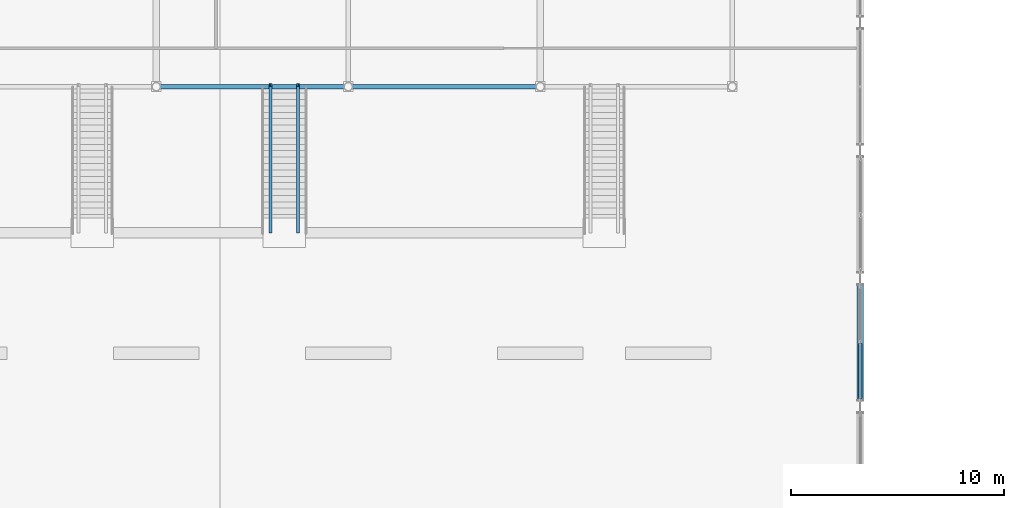
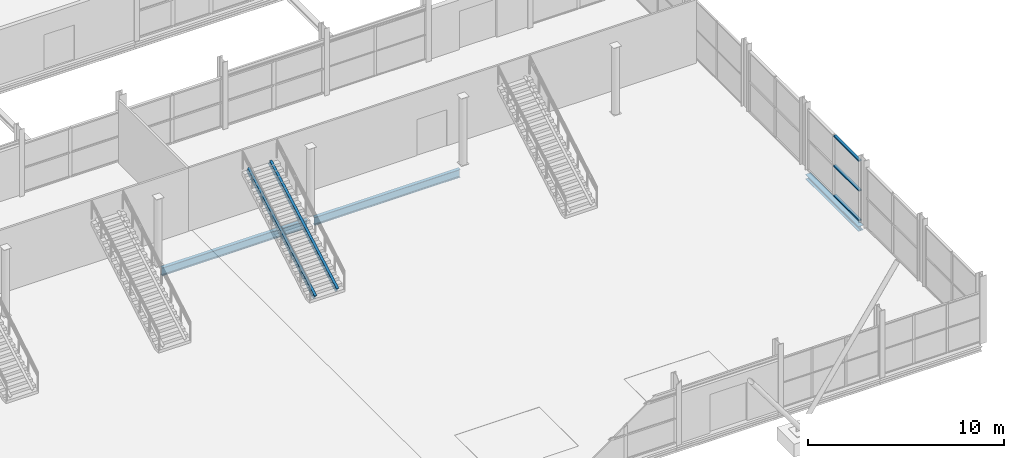
# One storey, part 34 of 140: 5 members, 3 beams, 1 element without a shape of its own.
"""IFC4 building model written with IfcOpenShell, lengths in metres."""

from ifc_helpers import new_model, si_unit, direction, frame, origin, origin_2d, place, context, subcontext, project, spatial, hollow_rectangle, i_section, extrude, material, layer, layer_set, material_profile, profile_set, type_object, element, aggregate, save


model = new_model("IFC4")

# Units and contexts
model_context = context("Model", 3, precision=1e-05, world=origin(), true_north=direction((0.0, 1.0)))
body_context = subcontext(model_context, "Body", "Model", "MODEL_VIEW")
ifc_project = project(units=[si_unit("LENGTHUNIT", "METRE"), si_unit("AREAUNIT", "SQUARE_METRE"), si_unit("VOLUMEUNIT", "CUBIC_METRE"), si_unit("PLANEANGLEUNIT", "RADIAN"), si_unit("MASSUNIT", "GRAM", prefix="KILO")], contexts=[model_context])

# Site, building, storey
site_placement = place(None, origin())
site = spatial("IfcSite", under=ifc_project, at=site_placement, CompositionType="ELEMENT")
building_placement = place(site_placement, origin())
building = spatial("IfcBuilding", under=site, at=building_placement, Name="Deido Ridge Mobility Hub", CompositionType="ELEMENT")
storey_placement = place(building_placement, origin())
storey = spatial("IfcBuildingStorey", under=building, at=storey_placement, Name="L00", CompositionType="ELEMENT", Elevation=0.0)

# Beams
ifc_material_1 = material(Name="Steel S355J2 EN 10025-2", Category="steel")
ifc_material_profile_1 = material_profile(ifc_material_1, i_section(OverallWidth=0.199951171875, OverallDepth=0.5, WebThickness=0.01025390625, FlangeThickness=0.01611328125, FilletRadius=0.02099609375, at=origin_2d()), Name="IPE 500")
ifc_profile_set_1 = profile_set([ifc_material_profile_1], Name="Steel S355J2 EN 10025-2")
beam_type_1 = type_object("IfcBeamType", Name="BM-IPE500", PredefinedType="BEAM", material=ifc_profile_set_1)
for number, where, z_axis, x_axis, name in (
    (1, (27.203125, 27.0, -0.510009765625), (1.0, 0.0, 0.0), (0.0, 1.0, 0.0), "Floor beam B3"),
    (2, (36.203125, 27.0, -0.510009765625), (1.0, 0.0, 0.0), (0.0, 1.0, 0.0), "Floor beam B3"),
):
    element("IfcBeam", number, at=place(storey_placement, frame(where, z_axis=z_axis, x_axis=x_axis)), inside=storey, type_object=beam_type_1, Name=name, PredefinedType="BEAM", context=body_context, shape_type="SweptSolid", body=[
        extrude(i_section(OverallWidth=0.199951171875, OverallDepth=0.5, WebThickness=0.01025390625, FlangeThickness=0.01611328125, FilletRadius=0.02099609375, at=origin_2d()), origin(), (0.0, 0.0, 1.0), 8.59375),
    ])

# Members
ifc_material_profile_2 = material_profile(ifc_material_1, i_section(OverallWidth=0.14990234375, OverallDepth=0.300048828125, WebThickness=0.007080078125, FlangeThickness=0.0107421875, FilletRadius=0.014892578125, at=origin_2d()), Name="IPE 300")
ifc_profile_set_2 = profile_set([ifc_material_profile_2], Name="Steel S355J2 EN 10025-2")
member_type_1 = type_object("IfcMemberType", Name="MEM-STG-IPE300", PredefinedType="STRINGER", material=ifc_profile_set_2)
for number, where, z_axis, x_axis, name in (
    (3, (32.35009765625, 20.219970703125, 0.1650390625), (0.0, 0.871783430325, 0.489891468196), (-1.0, 0.0, 0.0), "Concourse stair steel stringer SG1"),
    (4, (33.64990234375, 20.219970703125, 0.1650390625), (0.0, 0.871783430325, 0.489891468196), (-1.0, 0.0, 0.0), "Concourse stair steel stringer SG1"),
):
    element("IfcMember", number, at=place(storey_placement, frame(where, z_axis=z_axis, x_axis=x_axis)), inside=storey, type_object=member_type_1, Name=name, PredefinedType="STRINGER", context=body_context, shape_type="SweptSolid", body=[
        extrude(i_section(OverallWidth=0.14990234375, OverallDepth=0.300048828125, WebThickness=0.007080078125, FlangeThickness=0.0107421875, FilletRadius=0.014892578125, at=origin_2d()), origin(), (0.0, 0.0, 1.0), 7.869140625),
    ])

# Curtain wall, members
ifc_material_2 = material(Name="Anodised aluminium EN AW-6063 T6", Category="aluminium")
ifc_layer = layer(ifc_material_2, 0.27001953125, Name="Anodised aluminium EN AW-6063 T6")
ifc_layer_set = layer_set([ifc_layer], Name="Anodised aluminium EN AW-6063 T6")
curtain_wall_type = type_object("IfcCurtainWallType", Name="CW-UF-8", PredefinedType="USERDEFINED", material=ifc_layer_set)
curtain_wall_placement = place(storey_placement, origin())
curtain_wall = element("IfcCurtainWall", 5, at=curtain_wall_placement, inside=storey, type_object=curtain_wall_type, Name="Unitised curtain wall CW8", ObjectType="UNITISED FACADE", PredefinedType="USERDEFINED")
ifc_material_profile_3 = material_profile(ifc_material_2, hollow_rectangle(XDim=0.1650390625, YDim=0.080078125, WallThickness=0.00390625, at=origin_2d()), Name="RHS 165x80x4")
ifc_profile_set_3 = profile_set([ifc_material_profile_3], Name="Anodised aluminium EN AW-6063 T6")
member_type_2 = type_object("IfcMemberType", Name="MEM-TRN-165X80", PredefinedType="USERDEFINED", material=ifc_profile_set_3)
member_1_placement = place(storey_placement, frame((60.0, 12.3798828125, 0.0400390625), z_axis=(0.0, 1.0, 0.0), x_axis=(-1.0, 0.0, 0.0)))
member_1 = element("IfcMember", 6, at=member_1_placement, type_object=member_type_2, Name="CW8 transom 1.1", ObjectType="TRANSOM", PredefinedType="USERDEFINED", context=body_context, shape_type="SweptSolid", body=[
    extrude(hollow_rectangle(XDim=0.1650390625, YDim=0.080078125, WallThickness=0.00390625, at=origin_2d()), origin(), (0.0, 0.0, 1.0), 2.580078125),
])
member_2_placement = place(storey_placement, frame((60.0, 12.3798828125, 1.89990234375), z_axis=(0.0, 1.0, 0.0), x_axis=(-1.0, 0.0, 0.0)))
member_2 = element("IfcMember", 7, at=member_2_placement, type_object=member_type_2, Name="CW8 transom 1.2", ObjectType="TRANSOM", PredefinedType="USERDEFINED", context=body_context, shape_type="SweptSolid", body=[
    extrude(hollow_rectangle(XDim=0.1650390625, YDim=0.080078125, WallThickness=0.00390625, at=origin_2d()), origin(), (0.0, 0.0, 1.0), 2.580078125),
])
member_3_placement = place(storey_placement, frame((60.0, 12.3798828125, 3.760009765625), z_axis=(0.0, 1.0, 0.0), x_axis=(-1.0, 0.0, 0.0)))
member_3 = element("IfcMember", 8, at=member_3_placement, type_object=member_type_2, Name="CW8 transom 1.3", ObjectType="TRANSOM", PredefinedType="USERDEFINED", context=body_context, shape_type="SweptSolid", body=[
    extrude(hollow_rectangle(XDim=0.1650390625, YDim=0.080078125, WallThickness=0.00390625, at=origin_2d()), origin(), (0.0, 0.0, 1.0), 2.580078125),
])
aggregate(curtain_wall, [member_1, member_2, member_3])

# Beam
ifc_material_profile_4 = material_profile(ifc_material_1, i_section(OverallWidth=0.300048828125, OverallDepth=0.300048828125, WebThickness=0.010986328125, FlangeThickness=0.01904296875, FilletRadius=0.027099609375, at=origin_2d()), Name="HEB 300")
ifc_profile_set_4 = profile_set([ifc_material_profile_4], Name="Steel S355J2 EN 10025-2")
beam_type_2 = type_object("IfcBeamType", Name="SPD-HEB300", PredefinedType="SPANDREL", material=ifc_profile_set_4)
beam_placement = place(storey_placement, frame((60.0, 12.300048828125, -0.409912109375), z_axis=(0.0, 1.0, 0.0), x_axis=(-1.0, 0.0, 0.0)))
element("IfcBeam", 9, at=beam_placement, inside=storey, type_object=beam_type_2, Name="Floor beam SP1", PredefinedType="SPANDREL", context=body_context, shape_type="SweptSolid", body=[
    extrude(i_section(OverallWidth=0.300048828125, OverallDepth=0.300048828125, WebThickness=0.010986328125, FlangeThickness=0.01904296875, FilletRadius=0.027099609375, at=origin_2d()), origin(), (0.0, 0.0, 1.0), 5.39990234375),
])

save(model, "model.ifc")
